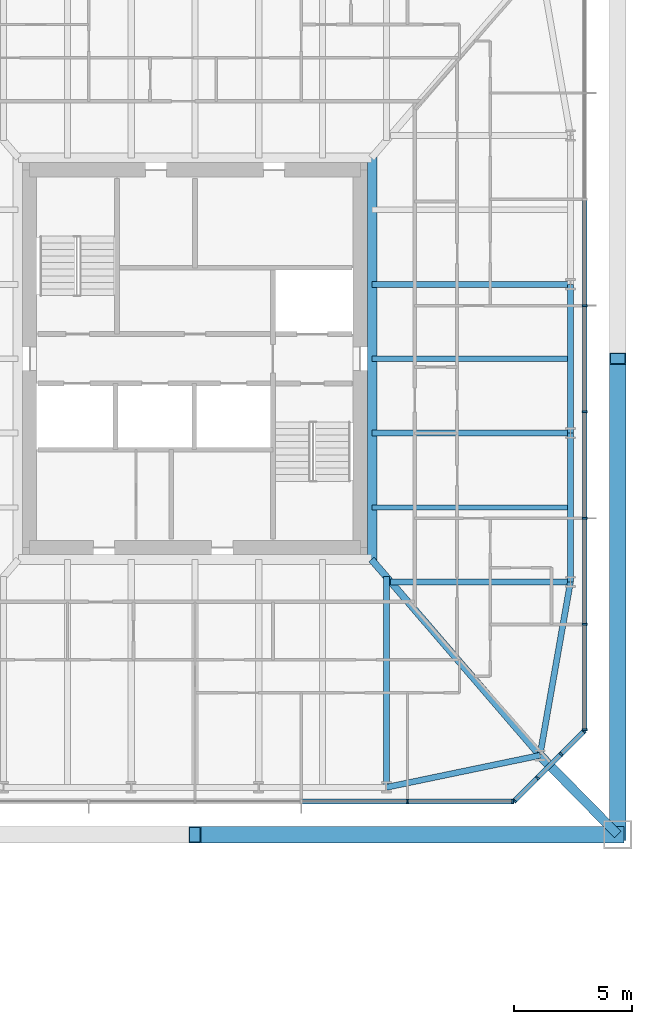
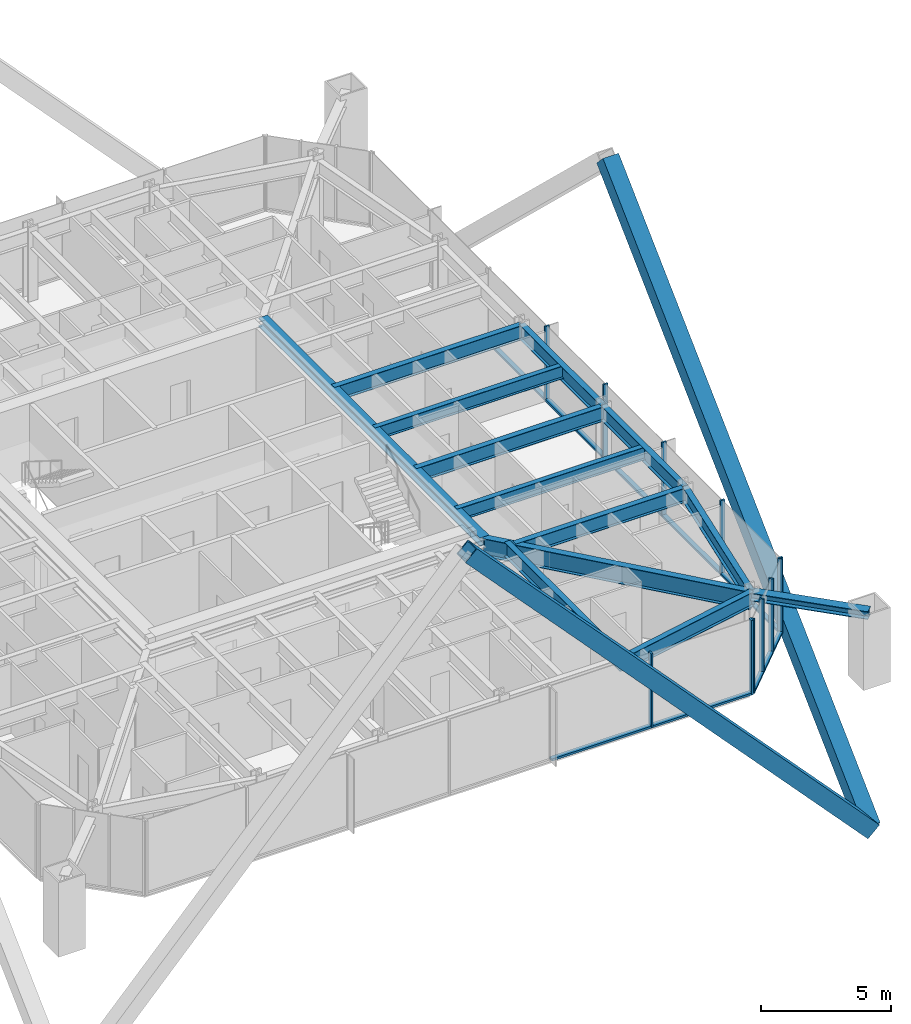
# One storey, part 11 of 28: 24 members, 12 beams, 3 elements without a shape of their own.
"""IFC4 building model written with IfcOpenShell, lengths in metres."""

from ifc_helpers import new_model, si_unit, direction, frame, origin, origin_2d, place, context, subcontext, project, spatial, rectangle, hollow_rectangle, i_section, extrude, material, material_profile, profile_set, type_object, element, aggregate, save


model = new_model("IFC4")

# Units and contexts
model_context = context("Model", 3, precision=1e-05, world=origin(), true_north=direction((0.0, 1.0)))
body_context = subcontext(model_context, "Body", "Model", "MODEL_VIEW")
ifc_project = project(units=[si_unit("LENGTHUNIT", "METRE"), si_unit("AREAUNIT", "SQUARE_METRE"), si_unit("VOLUMEUNIT", "CUBIC_METRE"), si_unit("PLANEANGLEUNIT", "RADIAN"), si_unit("MASSUNIT", "GRAM", prefix="KILO")], contexts=[model_context])

# Site, building, storey
site_placement = place(None, origin())
site = spatial("IfcSite", under=ifc_project, at=site_placement, CompositionType="ELEMENT")
building_placement = place(site_placement, origin())
building = spatial("IfcBuilding", under=site, at=building_placement, Name="Iwan Alto Co-Living Towers", CompositionType="ELEMENT")
storey_placement = place(building_placement, frame((0.0, 0.0, 43.0)))
storey = spatial("IfcBuildingStorey", under=building, at=storey_placement, Name="L11", CompositionType="ELEMENT", Elevation=43.0)

# Curtain wall, members
ifc_material_1 = material(Name="Bronze aluminium unitised frame", Category="aluminium")
curtain_wall_type_1 = type_object("IfcCurtainWallType", Name="CURTAIN WALL CW-C", PredefinedType="NOTDEFINED", material=ifc_material_1)
curtain_wall_1_placement = place(storey_placement, origin())
curtain_wall_1 = element("IfcCurtainWall", 1, at=curtain_wall_1_placement, inside=storey, type_object=curtain_wall_type_1, Name="T2 curtain wall S L11", PredefinedType="NOTDEFINED")
ifc_material_2 = material(Name="Aluminium 6063-T6 bronze anodised", Category="aluminium")
ifc_material_profile_1 = material_profile(ifc_material_2, rectangle(XDim=0.199951171875, YDim=0.080078125, at=origin_2d()), Name="AL 80X200")
ifc_profile_set_1 = profile_set([ifc_material_profile_1], Name="Aluminium 6063-T6 bronze anodised")
member_type_1 = type_object("IfcMemberType", Name="CW-C MULLION 80X200", PredefinedType="MULLION", material=ifc_profile_set_1)
member_1_placement = place(storey_placement, frame((72.0, -18.75, 0.0), z_axis=(0.0, 0.0, 1.0), x_axis=(0.0, 1.0, 0.0)))
member_1 = element("IfcMember", 2, at=member_1_placement, type_object=member_type_1, Name="CW-C mullion 6", PredefinedType="MULLION", context=body_context, shape_type="SweptSolid", body=[
    extrude(rectangle(XDim=0.199951171875, YDim=0.080078125, at=origin_2d()), origin(), (0.0, 0.0, 1.0), 3.5),
])
member_2_placement = place(storey_placement, frame((76.4599609375, -18.75, 0.0), z_axis=(0.0, 0.0, 1.0), x_axis=(0.0, 1.0, 0.0)))
member_2 = element("IfcMember", 3, at=member_2_placement, type_object=member_type_1, Name="CW-C mullion 7", PredefinedType="MULLION", context=body_context, shape_type="SweptSolid", body=[
    extrude(rectangle(XDim=0.199951171875, YDim=0.080078125, at=origin_2d()), origin(), (0.0, 0.0, 1.0), 3.5),
])

curtain_wall_2_placement = place(storey_placement, origin())
curtain_wall_2 = element("IfcCurtainWall", 4, at=curtain_wall_2_placement, inside=storey, type_object=curtain_wall_type_1, Name="T2 curtain wall E L11", PredefinedType="NOTDEFINED")
member_3_placement = place(storey_placement, frame((79.5, -15.7099609375, 0.0), z_axis=(0.0, 0.0, 1.0), x_axis=(-1.0, 0.0, 0.0)))
member_3 = element("IfcMember", 5, at=member_3_placement, type_object=member_type_1, Name="CW-C mullion 1", PredefinedType="MULLION", context=body_context, shape_type="SweptSolid", body=[
    extrude(rectangle(XDim=0.199951171875, YDim=0.080078125, at=origin_2d()), origin(), (0.0, 0.0, 1.0), 3.5),
])
member_4_placement = place(storey_placement, frame((79.5, -11.25, 0.0), z_axis=(0.0, 0.0, 1.0), x_axis=(-1.0, 0.0, 0.0)))
member_4 = element("IfcMember", 6, at=member_4_placement, type_object=member_type_1, Name="CW-C mullion 2", PredefinedType="MULLION", context=body_context, shape_type="SweptSolid", body=[
    extrude(rectangle(XDim=0.199951171875, YDim=0.080078125, at=origin_2d()), origin(), (0.0, 0.0, 1.0), 3.5),
])
member_5_placement = place(storey_placement, frame((79.5, -6.75, 0.0), z_axis=(0.0, 0.0, 1.0), x_axis=(-1.0, 0.0, 0.0)))
member_5 = element("IfcMember", 7, at=member_5_placement, type_object=member_type_1, Name="CW-C mullion 3", PredefinedType="MULLION", context=body_context, shape_type="SweptSolid", body=[
    extrude(rectangle(XDim=0.199951171875, YDim=0.080078125, at=origin_2d()), origin(), (0.0, 0.0, 1.0), 3.5),
])
member_6_placement = place(storey_placement, frame((79.5, -2.25, 0.0), z_axis=(0.0, 0.0, 1.0), x_axis=(-1.0, 0.0, 0.0)))
member_6 = element("IfcMember", 8, at=member_6_placement, type_object=member_type_1, Name="CW-C mullion 4", PredefinedType="MULLION", context=body_context, shape_type="SweptSolid", body=[
    extrude(rectangle(XDim=0.199951171875, YDim=0.080078125, at=origin_2d()), origin(), (0.0, 0.0, 1.0), 3.5),
])
member_7_placement = place(storey_placement, frame((79.5, 2.25, 0.0), z_axis=(0.0, 0.0, 1.0), x_axis=(-1.0, 0.0, 0.0)))
member_7 = element("IfcMember", 9, at=member_7_placement, type_object=member_type_1, Name="CW-C mullion 5", PredefinedType="MULLION", context=body_context, shape_type="SweptSolid", body=[
    extrude(rectangle(XDim=0.199951171875, YDim=0.080078125, at=origin_2d()), origin(), (0.0, 0.0, 1.0), 3.5),
])

# Member
ifc_material_3 = material(Name="Aluminium 6063-T6 bronze anodised", Category="aluminium")
ifc_material_profile_2 = material_profile(ifc_material_3, rectangle(XDim=0.199951171875, YDim=0.10009765625, at=origin_2d()), Name="AL 200X100")
ifc_profile_set_2 = profile_set([ifc_material_profile_2], Name="Aluminium 6063-T6 bronze anodised")
member_type_2 = type_object("IfcMemberType", Name="CW-C TRANSOM 200X100", PredefinedType="USERDEFINED", material=ifc_profile_set_2)
member_8_placement = place(storey_placement, frame((67.5400390625, -18.75, 0.050048828125), z_axis=(1.0, 0.0, 0.0), x_axis=(0.0, 1.0, 0.0)))
member_8 = element("IfcMember", 10, at=member_8_placement, type_object=member_type_2, Name="CW-C transom 5.1", ObjectType="TRANSOM", PredefinedType="USERDEFINED", context=body_context, shape_type="SweptSolid", body=[
    extrude(rectangle(XDim=0.199951171875, YDim=0.10009765625, at=origin_2d()), origin(), (0.0, 0.0, 1.0), 4.419921875),
])

member_9_placement = place(storey_placement, frame((72.0400390625, -18.75, 0.050048828125), z_axis=(1.0, 0.0, 0.0), x_axis=(0.0, 1.0, 0.0)))
member_9 = element("IfcMember", 11, at=member_9_placement, type_object=member_type_2, Name="CW-C transom 6.1", ObjectType="TRANSOM", PredefinedType="USERDEFINED", context=body_context, shape_type="SweptSolid", body=[
    extrude(rectangle(XDim=0.199951171875, YDim=0.10009765625, at=origin_2d()), origin(), (0.0, 0.0, 1.0), 4.3798828125),
])

aggregate(curtain_wall_1, [member_1, member_2, member_8, member_9])

member_10_placement = place(storey_placement, frame((79.5, -15.669921875, 0.050048828125), z_axis=(0.0, 1.0, 0.0), x_axis=(-1.0, 0.0, 0.0)))
member_10 = element("IfcMember", 12, at=member_10_placement, type_object=member_type_2, Name="CW-C transom 1.1", ObjectType="TRANSOM", PredefinedType="USERDEFINED", context=body_context, shape_type="SweptSolid", body=[
    extrude(rectangle(XDim=0.199951171875, YDim=0.10009765625, at=origin_2d()), origin(), (0.0, 0.0, 1.0), 4.3798828125),
])

member_11_placement = place(storey_placement, frame((79.5, -11.2099609375, 0.050048828125), z_axis=(0.0, 1.0, 0.0), x_axis=(-1.0, 0.0, 0.0)))
member_11 = element("IfcMember", 13, at=member_11_placement, type_object=member_type_2, Name="CW-C transom 2.1", ObjectType="TRANSOM", PredefinedType="USERDEFINED", context=body_context, shape_type="SweptSolid", body=[
    extrude(rectangle(XDim=0.199951171875, YDim=0.10009765625, at=origin_2d()), origin(), (0.0, 0.0, 1.0), 4.419921875),
])

member_12_placement = place(storey_placement, frame((79.5, -6.7099609375, 0.050048828125), z_axis=(0.0, 1.0, 0.0), x_axis=(-1.0, 0.0, 0.0)))
member_12 = element("IfcMember", 14, at=member_12_placement, type_object=member_type_2, Name="CW-C transom 3.1", ObjectType="TRANSOM", PredefinedType="USERDEFINED", context=body_context, shape_type="SweptSolid", body=[
    extrude(rectangle(XDim=0.199951171875, YDim=0.10009765625, at=origin_2d()), origin(), (0.0, 0.0, 1.0), 4.419921875),
])

member_13_placement = place(storey_placement, frame((79.5, -2.2099609375, 0.050048828125), z_axis=(0.0, 1.0, 0.0), x_axis=(-1.0, 0.0, 0.0)))
member_13 = element("IfcMember", 15, at=member_13_placement, type_object=member_type_2, Name="CW-C transom 4.1", ObjectType="TRANSOM", PredefinedType="USERDEFINED", context=body_context, shape_type="SweptSolid", body=[
    extrude(rectangle(XDim=0.199951171875, YDim=0.10009765625, at=origin_2d()), origin(), (0.0, 0.0, 1.0), 4.419921875),
])

member_14_placement = place(storey_placement, frame((79.5, 2.2900390625, 0.050048828125), z_axis=(0.0, 1.0, 0.0), x_axis=(-1.0, 0.0, 0.0)))
member_14 = element("IfcMember", 16, at=member_14_placement, type_object=member_type_2, Name="CW-C transom 5.1", ObjectType="TRANSOM", PredefinedType="USERDEFINED", context=body_context, shape_type="SweptSolid", body=[
    extrude(rectangle(XDim=0.199951171875, YDim=0.10009765625, at=origin_2d()), origin(), (0.0, 0.0, 1.0), 4.419921875),
])

aggregate(curtain_wall_2, [member_3, member_4, member_5, member_6, member_7, member_10, member_11, member_12, member_13, member_14])

# Curtain wall, members
ifc_material_4 = material(Name="Bronze aluminium unitised frame", Category="aluminium")
curtain_wall_type_2 = type_object("IfcCurtainWallType", Name="CURTAIN WALL CW-D", PredefinedType="NOTDEFINED", material=ifc_material_4)
curtain_wall_3_placement = place(storey_placement, origin())
curtain_wall_3 = element("IfcCurtainWall", 17, at=curtain_wall_3_placement, inside=storey, type_object=curtain_wall_type_2, Name="T2 chamfer curtain wall SE L11", PredefinedType="NOTDEFINED")
ifc_material_5 = material(Name="Aluminium 6063-T6 bronze anodised", Category="aluminium")
ifc_material_profile_3 = material_profile(ifc_material_5, rectangle(XDim=0.199951171875, YDim=0.080078125, at=origin_2d()), Name="AL 80X200")
ifc_profile_set_3 = profile_set([ifc_material_profile_3], Name="Aluminium 6063-T6 bronze anodised")
member_type_3 = type_object("IfcMemberType", Name="CW-D MULLION 80X200", PredefinedType="MULLION", material=ifc_profile_set_3)
member_15_placement = place(storey_placement, frame((76.5283203125, -18.7216796875, 0.0), z_axis=(0.0, 0.0, 1.0), x_axis=(-0.707106781187, 0.707106781187, 0.0)))
member_15 = element("IfcMember", 18, at=member_15_placement, type_object=member_type_3, Name="CW-D mullion 1", PredefinedType="MULLION", context=body_context, shape_type="SweptSolid", body=[
    extrude(rectangle(XDim=0.199951171875, YDim=0.080078125, at=origin_2d()), origin(), (0.0, 0.0, 1.0), 3.5),
])
member_16_placement = place(storey_placement, frame((77.5, -17.75, 0.0), z_axis=(0.0, 0.0, 1.0), x_axis=(-0.707106781187, 0.707106781187, 0.0)))
member_16 = element("IfcMember", 19, at=member_16_placement, type_object=member_type_3, Name="CW-D mullion 2", PredefinedType="MULLION", context=body_context, shape_type="SweptSolid", body=[
    extrude(rectangle(XDim=0.199951171875, YDim=0.080078125, at=origin_2d()), origin(), (0.0, 0.0, 1.0), 3.5),
])
member_17_placement = place(storey_placement, frame((78.5, -16.75, 0.0), z_axis=(0.0, 0.0, 1.0), x_axis=(-0.707106781187, 0.707106781187, 0.0)))
member_17 = element("IfcMember", 20, at=member_17_placement, type_object=member_type_3, Name="CW-D mullion 3", PredefinedType="MULLION", context=body_context, shape_type="SweptSolid", body=[
    extrude(rectangle(XDim=0.199951171875, YDim=0.080078125, at=origin_2d()), origin(), (0.0, 0.0, 1.0), 3.5),
])
member_18_placement = place(storey_placement, frame((79.4716796875, -15.7783203125, 0.0), z_axis=(0.0, 0.0, 1.0), x_axis=(-0.707106781187, 0.707106781187, 0.0)))
member_18 = element("IfcMember", 21, at=member_18_placement, type_object=member_type_3, Name="CW-D mullion 4", PredefinedType="MULLION", context=body_context, shape_type="SweptSolid", body=[
    extrude(rectangle(XDim=0.199951171875, YDim=0.080078125, at=origin_2d()), origin(), (0.0, 0.0, 1.0), 3.5),
])
ifc_material_6 = material(Name="Aluminium 6063-T6 bronze anodised", Category="aluminium")
ifc_material_profile_4 = material_profile(ifc_material_6, rectangle(XDim=0.199951171875, YDim=0.10009765625, at=origin_2d()), Name="AL 200X100")
ifc_profile_set_4 = profile_set([ifc_material_profile_4], Name="Aluminium 6063-T6 bronze anodised")
member_type_4 = type_object("IfcMemberType", Name="CW-D TRANSOM 200X100", PredefinedType="USERDEFINED", material=ifc_profile_set_4)
member_19_placement = place(storey_placement, frame((76.556640625, -18.693359375, 0.050048828125), z_axis=(0.707106781187, 0.707106781187, 0.0), x_axis=(-0.707106781187, 0.707106781187, 0.0)))
member_19 = element("IfcMember", 22, at=member_19_placement, type_object=member_type_4, Name="CW-D transom 1.1", ObjectType="TRANSOM", PredefinedType="USERDEFINED", context=body_context, shape_type="SweptSolid", body=[
    extrude(rectangle(XDim=0.199951171875, YDim=0.10009765625, at=origin_2d()), origin(), (0.0, 0.0, 1.0), 1.2939453125),
])
member_20_placement = place(storey_placement, frame((77.5283203125, -17.7216796875, 0.050048828125), z_axis=(0.707106781187, 0.707106781187, 0.0), x_axis=(-0.707106781187, 0.707106781187, 0.0)))
member_20 = element("IfcMember", 23, at=member_20_placement, type_object=member_type_4, Name="CW-D transom 2.1", ObjectType="TRANSOM", PredefinedType="USERDEFINED", context=body_context, shape_type="SweptSolid", body=[
    extrude(rectangle(XDim=0.199951171875, YDim=0.10009765625, at=origin_2d()), origin(), (0.0, 0.0, 1.0), 1.334228515625),
])
member_21_placement = place(storey_placement, frame((78.5283203125, -16.7216796875, 0.050048828125), z_axis=(0.707106781187, 0.707106781187, 0.0), x_axis=(-0.707106781187, 0.707106781187, 0.0)))
member_21 = element("IfcMember", 24, at=member_21_placement, type_object=member_type_4, Name="CW-D transom 3.1", ObjectType="TRANSOM", PredefinedType="USERDEFINED", context=body_context, shape_type="SweptSolid", body=[
    extrude(rectangle(XDim=0.199951171875, YDim=0.10009765625, at=origin_2d()), origin(), (0.0, 0.0, 1.0), 1.2939453125),
])
aggregate(curtain_wall_3, [member_15, member_16, member_17, member_18, member_19, member_20, member_21])

# Beams
ifc_material_7 = material(Name="Steel ASTM A992 Gr 50", Category="steel")
ifc_material_profile_5 = material_profile(ifc_material_7, i_section(OverallWidth=0.40380859375, OverallDepth=0.406494140625, WebThickness=0.027099609375, FlangeThickness=0.043701171875, at=origin_2d()), Name="W14X233")
ifc_profile_set_5 = profile_set([ifc_material_profile_5], Name="Steel ASTM A992 Gr 50")
beam_type_1 = type_object("IfcBeamType", Name="T2 CORE LEDGER BEAM W14X233", PredefinedType="BEAM", material=ifc_profile_set_5)
beam_1_placement = place(storey_placement, frame((70.501953125, -8.534912109375, 3.06689453125), z_axis=(0.0, 1.0, 0.0), x_axis=(-1.0, 0.0, 0.0)))
element("IfcBeam", 25, at=beam_1_placement, inside=storey, type_object=beam_type_1, Name="T2 core ledger beam E L12", PredefinedType="BEAM", context=body_context, shape_type="SweptSolid", body=[
    extrude(i_section(OverallWidth=0.40380859375, OverallDepth=0.406494140625, WebThickness=0.027099609375, FlangeThickness=0.043701171875, at=origin_2d()), origin(), (0.0, 0.0, 1.0), 17.06982421875),
])
ifc_material_8 = material(Name="Steel ASTM A992 Gr 50", Category="steel")
ifc_material_profile_6 = material_profile(ifc_material_8, i_section(OverallWidth=0.2919921875, OverallDepth=0.8408203125, WebThickness=0.0146484375, FlangeThickness=0.021728515625, at=origin_2d()), Name="W33X130")
ifc_profile_set_6 = profile_set([ifc_material_profile_6], Name="Steel ASTM A992 Gr 50")
beam_type_2 = type_object("IfcBeamType", Name="T2 CORNER GIRDER W33X130", PredefinedType="BEAM", material=ifc_profile_set_6)
beam_2_placement = place(storey_placement, frame((77.606201171875, -16.797119140625, 2.849609375), z_axis=(-0.651972301827, 0.758242782788, 0.0), x_axis=(-0.758242782788, -0.651972301827, 0.0)))
element("IfcBeam", 26, at=beam_2_placement, inside=storey, type_object=beam_type_2, Name="T2 corner girder CSE L12", PredefinedType="BEAM", context=body_context, shape_type="SweptSolid", body=[
    extrude(i_section(OverallWidth=0.2919921875, OverallDepth=0.8408203125, WebThickness=0.0146484375, FlangeThickness=0.021728515625, at=origin_2d()), origin(), (0.0, 0.0, 1.0), 10.93994140625),
])
ifc_material_9 = material(Name="Steel ASTM A992 Gr 50", Category="steel")
ifc_material_profile_7 = material_profile(ifc_material_9, i_section(OverallWidth=0.25390625, OverallDepth=0.683349609375, WebThickness=0.012451171875, FlangeThickness=0.018798828125, at=origin_2d()), Name="W27X94")
ifc_profile_set_7 = profile_set([ifc_material_profile_7], Name="Steel ASTM A992 Gr 50")
beam_type_3 = type_object("IfcBeamType", Name="T2 EDGE BEAM W27X94", PredefinedType="BEAM", material=ifc_profile_set_7)
beam_3_placement = place(storey_placement, frame((71.10009765625, -18.14990234375, 2.928466796875), z_axis=(0.979060119423, 0.203571320564, 0.0), x_axis=(-0.203571320564, 0.979060119423, 0.0)))
element("IfcBeam", 27, at=beam_3_placement, inside=storey, type_object=beam_type_3, Name="T2 edge beam S4 L12", PredefinedType="BEAM", context=body_context, shape_type="SweptSolid", body=[
    extrude(i_section(OverallWidth=0.25390625, OverallDepth=0.683349609375, WebThickness=0.012451171875, FlangeThickness=0.018798828125, at=origin_2d()), origin(), (0.0, 0.0, 1.0), 6.645263671875),
])
beam_4_placement = place(storey_placement, frame((77.606201171875, -16.797119140625, 2.928466796875), z_axis=(0.173413807283, 0.98484905008, 0.0), x_axis=(-0.98484905008, 0.173413807283, 0.0)))
element("IfcBeam", 28, at=beam_4_placement, inside=storey, type_object=beam_type_3, Name="T2 edge beam CSE L12", PredefinedType="BEAM", context=body_context, shape_type="SweptSolid", body=[
    extrude(i_section(OverallWidth=0.25390625, OverallDepth=0.683349609375, WebThickness=0.012451171875, FlangeThickness=0.018798828125, at=origin_2d()), origin(), (0.0, 0.0, 1.0), 7.460205078125),
])
beam_5_placement = place(storey_placement, frame((78.89990234375, -9.449951171875, 2.928466796875), z_axis=(0.0, 1.0, 0.0), x_axis=(-1.0, 0.0, 0.0)))
element("IfcBeam", 29, at=beam_5_placement, inside=storey, type_object=beam_type_3, Name="T2 edge beam E1 L12", PredefinedType="BEAM", context=body_context, shape_type="SweptSolid", body=[
    extrude(i_section(OverallWidth=0.25390625, OverallDepth=0.683349609375, WebThickness=0.012451171875, FlangeThickness=0.018798828125, at=origin_2d()), origin(), (0.0, 0.0, 1.0), 6.300048828125),
])
beam_6_placement = place(storey_placement, frame((78.89990234375, -3.14990234375, 2.928466796875), z_axis=(0.0, 1.0, 0.0), x_axis=(-1.0, 0.0, 0.0)))
element("IfcBeam", 30, at=beam_6_placement, inside=storey, type_object=beam_type_3, Name="T2 edge beam E2 L12", PredefinedType="BEAM", context=body_context, shape_type="SweptSolid", body=[
    extrude(i_section(OverallWidth=0.25390625, OverallDepth=0.683349609375, WebThickness=0.012451171875, FlangeThickness=0.018798828125, at=origin_2d()), origin(), (0.0, 0.0, 1.0), 6.2998046875),
])

# Members
ifc_material_10 = material(Name="Steel ASTM A572 Gr 50", Category="steel")
ifc_material_profile_8 = material_profile(ifc_material_10, hollow_rectangle(XDim=0.699951171875, YDim=0.699951171875, WallThickness=0.044921875, at=origin_2d()), Name="BOX 700X700X45")
ifc_profile_set_8 = profile_set([ifc_material_profile_8], Name="Steel ASTM A572 Gr 50")
member_type_5 = type_object("IfcMemberType", Name="T2 MEGA BRACE BOX 700X700X45", PredefinedType="BRACE", material=ifc_profile_set_8)
member_22_placement = place(storey_placement, frame((80.89990234375, -20.14990234375, -7.0), z_axis=(-0.680959649938, 0.0, 0.732320937264), x_axis=(0.0, -1.0, 0.0)))
element("IfcMember", 31, at=member_22_placement, inside=storey, type_object=member_type_5, Name="T2 mega brace Z1B S 2 lower", PredefinedType="BRACE", context=body_context, shape_type="SweptSolid", body=[
    extrude(hollow_rectangle(XDim=0.699951171875, YDim=0.699951171875, WallThickness=0.044921875, at=origin_2d()), origin(), (0.0, 0.0, 1.0), 26.286376953125),
])
member_23_placement = place(storey_placement, frame((80.89990234375, -20.14990234375, -7.0), z_axis=(0.0, 0.72306867492, 0.690776151405), x_axis=(-1.0, 0.0, 0.0)))
element("IfcMember", 32, at=member_23_placement, inside=storey, type_object=member_type_5, Name="T2 mega brace Z1B E 1 lower", PredefinedType="BRACE", context=body_context, shape_type="SweptSolid", body=[
    extrude(hollow_rectangle(XDim=0.699951171875, YDim=0.699951171875, WallThickness=0.044921875, at=origin_2d()), origin(), (0.0, 0.0, 1.0), 27.8671875),
])
ifc_material_11 = material(Name="Steel ASTM A992 Gr 50", Category="steel")
ifc_material_profile_9 = material_profile(ifc_material_11, i_section(OverallWidth=0.393798828125, OverallDepth=0.3759765625, WebThickness=0.017333984375, FlangeThickness=0.027587890625, at=origin_2d()), Name="W14X145")
ifc_profile_set_9 = profile_set([ifc_material_profile_9], Name="Steel ASTM A992 Gr 50")
member_type_6 = type_object("IfcMemberType", Name="T2 MEGA COLUMN FLOOR TIE W14X145", PredefinedType="STRUT", material=ifc_profile_set_9)
member_24_placement = place(storey_placement, frame((80.89990234375, -20.14990234375, 3.08203125), z_axis=(-0.700793469544, 0.71336422187, 0.0), x_axis=(-0.71336422187, -0.700793469544, 0.0)))
element("IfcMember", 33, at=member_24_placement, inside=storey, type_object=member_type_6, Name="T2 mega column floor tie SE L12", PredefinedType="STRUT", context=body_context, shape_type="SweptSolid", body=[
    extrude(i_section(OverallWidth=0.393798828125, OverallDepth=0.3759765625, WebThickness=0.017333984375, FlangeThickness=0.027587890625, at=origin_2d()), origin(), (0.0, 0.0, 1.0), 4.699951171875),
])

# Beams
ifc_material_12 = material(Name="Steel ASTM A992 Gr 50", Category="steel")
ifc_material_profile_10 = material_profile(ifc_material_12, i_section(OverallWidth=0.25390625, OverallDepth=0.683349609375, WebThickness=0.012451171875, FlangeThickness=0.018798828125, at=origin_2d()), Name="W27X94")
ifc_profile_set_10 = profile_set([ifc_material_profile_10], Name="Steel ASTM A992 Gr 50")
beam_type_4 = type_object("IfcBeamType", Name="T2 RADIAL BEAM W27X94", PredefinedType="BEAM", material=ifc_profile_set_10)
beam_7_placement = place(storey_placement, frame((71.10009765625, -18.14990234375, 2.928466796875), z_axis=(0.0, 1.0, 0.0), x_axis=(-1.0, 0.0, 0.0)))
element("IfcBeam", 34, at=beam_7_placement, inside=storey, type_object=beam_type_4, Name="T2 radial beam S4 L12", PredefinedType="BEAM", context=body_context, shape_type="SweptSolid", body=[
    extrude(i_section(OverallWidth=0.25390625, OverallDepth=0.683349609375, WebThickness=0.012451171875, FlangeThickness=0.018798828125, at=origin_2d()), origin(), (0.0, 0.0, 1.0), 8.91943359375),
])
beam_8_placement = place(storey_placement, frame((78.89990234375, -9.449951171875, 2.928466796875), z_axis=(-1.0, 0.0, 0.0), x_axis=(0.0, -1.0, 0.0)))
element("IfcBeam", 35, at=beam_8_placement, inside=storey, type_object=beam_type_4, Name="T2 radial beam E1 L12", PredefinedType="BEAM", context=body_context, shape_type="SweptSolid", body=[
    extrude(i_section(OverallWidth=0.25390625, OverallDepth=0.683349609375, WebThickness=0.012451171875, FlangeThickness=0.018798828125, at=origin_2d()), origin(), (0.0, 0.0, 1.0), 7.611083984375),
])
for number, where, z_axis, x_axis, name in (
    (36, (78.89990234375, -3.14990234375, 2.928466796875), (-1.0, 0.0, 0.0), (0.0, -1.0, 0.0), "T2 radial beam E2 L12"),
    (37, (78.89990234375, 3.14990234375, 2.928466796875), (-1.0, 0.0, 0.0), (0.0, -1.0, 0.0), "T2 radial beam E3 L12"),
):
    element("IfcBeam", number, at=place(storey_placement, frame(where, z_axis=z_axis, x_axis=x_axis)), inside=storey, type_object=beam_type_4, Name=name, PredefinedType="BEAM", context=body_context, shape_type="SweptSolid", body=[
        extrude(i_section(OverallWidth=0.25390625, OverallDepth=0.683349609375, WebThickness=0.012451171875, FlangeThickness=0.018798828125, at=origin_2d()), origin(), (0.0, 0.0, 1.0), 8.39794921875),
    ])
ifc_material_13 = material(Name="Steel ASTM A992 Gr 50", Category="steel")
ifc_material_profile_11 = material_profile(ifc_material_13, i_section(OverallWidth=0.228271484375, OverallDepth=0.607177734375, WebThickness=0.01123046875, FlangeThickness=0.017333984375, at=origin_2d()), Name="W24X76")
ifc_profile_set_11 = profile_set([ifc_material_profile_11], Name="Steel ASTM A992 Gr 50")
beam_type_5 = type_object("IfcBeamType", Name="T2 SECONDARY BEAM W24X76", PredefinedType="JOIST", material=ifc_profile_set_11)
for number, where, z_axis, x_axis, name in (
    (38, (78.89990234375, -6.300048828125, 2.966552734375), (-1.0, 0.0, 0.0), (0.0, -1.0, 0.0), "T2 secondary beam E1 L12"),
    (39, (78.89990234375, 0.0, 2.966552734375), (-1.0, 0.0, 0.0), (0.0, -1.0, 0.0), "T2 secondary beam E2 L12"),
):
    element("IfcBeam", number, at=place(storey_placement, frame(where, z_axis=z_axis, x_axis=x_axis)), inside=storey, type_object=beam_type_5, Name=name, PredefinedType="JOIST", context=body_context, shape_type="SweptSolid", body=[
        extrude(i_section(OverallWidth=0.228271484375, OverallDepth=0.607177734375, WebThickness=0.01123046875, FlangeThickness=0.017333984375, at=origin_2d()), origin(), (0.0, 0.0, 1.0), 8.39794921875),
    ])

save(model, "model.ifc")
